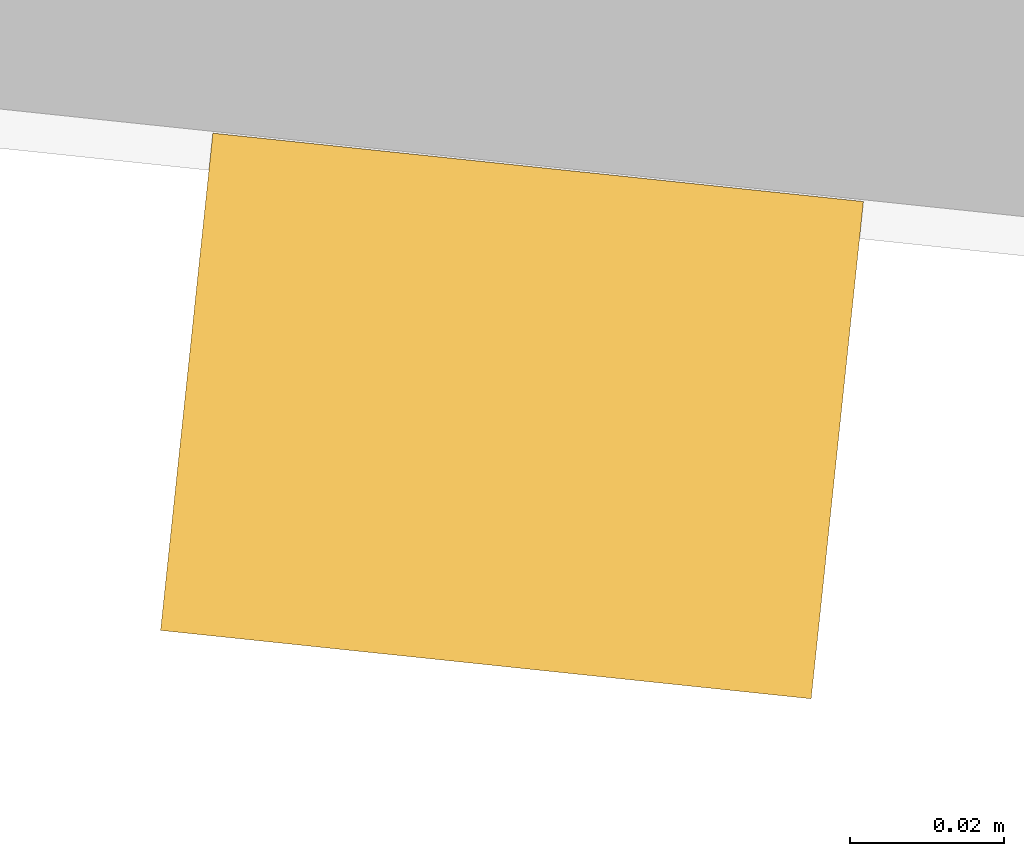
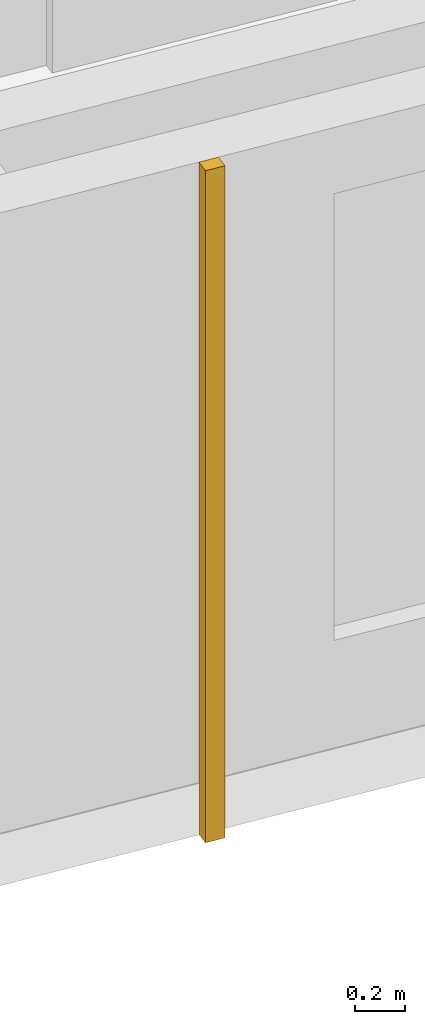
# One storey, part 61 of 74: 1 covering.
"""IFC4 building model written with IfcOpenShell, lengths in metres."""

import ifcopenshell
import ifcopenshell.guid

model = None  # the IFC model being written
_history = None  # IfcOwnerHistory: only IFC2X3 demands one
_inside = {}  # id of a spatial element -> (the spatial element, [elements in it])
_under = {}  # id of a project, library or spatial element -> (it, [spatial elements below it])
_declared = {}  # id of a project -> (the project, [libraries it declares])
_typed = {}  # id of a type object -> (the type object, [elements of that type])
_made_of = {}  # id of a material, layer set ... -> (it, [elements and type objects made of it])


def new_model(schema):
    """Start an empty IFC model of exactly this schema.

    Asked for "IFC4X3", IfcOpenShell would pick the latest addendum, in which some entities
    have other attributes; the version numbers below select the first issue.
    IFC2X3 requires an IfcOwnerHistory on every rooted entity: one is made here for all.
    """
    global model, _history
    if schema == "IFC4X3":
        model = ifcopenshell.file(schema_version=(4, 3, 0, 0))
    else:
        model = ifcopenshell.file(schema=schema)
    _inside.clear()
    _under.clear()
    _declared.clear()
    _typed.clear()
    _made_of.clear()
    _history = None
    if model.schema == "IFC2X3":
        org = make("IfcOrganization", Name="unknown")
        user = make(
            "IfcPersonAndOrganization",
            ThePerson=make("IfcPerson", FamilyName="unknown"),
            TheOrganization=org,
        )
        app = make(
            "IfcApplication",
            ApplicationDeveloper=org,
            Version="unknown",
            ApplicationFullName="unknown",
            ApplicationIdentifier="unknown",
        )
        _history = make(
            "IfcOwnerHistory",
            OwningUser=user,
            OwningApplication=app,
            ChangeAction="ADDED",
            CreationDate=0,
        )
    return model


def make(cls, **values):
    """One entity of the class cls with the attributes given. An attribute that is None is left unset."""
    return model.create_entity(
        cls, **{name: value for name, value in values.items() if value is not None}
    )


def rooted(cls, **values):
    """An entity with a GlobalId (a new one), such as an element, a storey or a relation."""
    return make(cls, GlobalId=ifcopenshell.guid.new(), OwnerHistory=_history, **values)


def si_unit(unit_type, name, prefix=None):
    """IfcSIUnit, for example si_unit("LENGTHUNIT", "METRE", prefix="MILLI")."""
    return make("IfcSIUnit", UnitType=unit_type, Prefix=prefix, Name=name)


def assignment(units):
    """IfcUnitAssignment: the units of a project."""
    return None if units is None else make("IfcUnitAssignment", Units=units)


def point(xyz):
    """IfcCartesianPoint."""
    return None if xyz is None else make("IfcCartesianPoint", Coordinates=xyz)


def direction(xyz):
    """IfcDirection."""
    return None if xyz is None else make("IfcDirection", DirectionRatios=xyz)


def frame(location, z_axis=None, x_axis=None):
    """IfcAxis2Placement3D, a coordinate frame: its origin and axes. An axis left out is left unset."""
    return make(
        "IfcAxis2Placement3D",
        Location=point(location),
        Axis=direction(z_axis),
        RefDirection=direction(x_axis),
    )


def frame_2d(location, x_axis=None):
    """IfcAxis2Placement2D, a coordinate frame in the plane: its origin and x axis."""
    return make(
        "IfcAxis2Placement2D", Location=point(location), RefDirection=direction(x_axis)
    )


def origin():
    """The frame at (0, 0, 0) with its axes left unset."""
    return frame((0.0, 0.0, 0.0))


def origin_2d():
    """The frame at (0, 0) in the plane with its x axis left unset."""
    return frame_2d((0.0, 0.0))


def place(relative_to, where):
    """IfcLocalPlacement: puts the frame where relative to a parent placement (None: the world)."""
    return make(
        "IfcLocalPlacement", PlacementRelTo=relative_to, RelativePlacement=where
    )


def context(
    kind, dimensions, precision=None, world=None, true_north=None, identifier=None
):
    """IfcGeometricRepresentationContext, for example the 3D "Model" context."""
    return make(
        "IfcGeometricRepresentationContext",
        ContextIdentifier=identifier,
        ContextType=kind,
        CoordinateSpaceDimension=dimensions,
        Precision=precision,
        WorldCoordinateSystem=world,
        TrueNorth=true_north,
    )


def subcontext(parent, identifier, kind, view, scale=None):
    """IfcGeometricRepresentationSubContext, for example "Body" below "Model"."""
    return make(
        "IfcGeometricRepresentationSubContext",
        ContextIdentifier=identifier,
        ContextType=kind,
        ParentContext=parent,
        TargetScale=scale,
        TargetView=view,
    )


def project(units=None, contexts=None):
    """IfcProject with its units and contexts."""
    return rooted(
        "IfcProject",
        Name="project",
        RepresentationContexts=contexts,
        UnitsInContext=assignment(units),
    )


def spatial(cls, under=None, at=None, **own):
    """A site, building, storey or space (cls), placed at a placement, below another one or the project."""
    s = rooted(cls, ObjectPlacement=at, **own)
    if under is not None:
        _under.setdefault(under.id(), (under, []))[1].append(s)
    return s


def profile(cls, at=None, kind="AREA", **sizes):
    """A parametric profile (cls). Its sizes go by their IFC names, for example OverallWidth=200.0."""
    return make(cls, ProfileType=kind, Position=at, **sizes)


def rectangle(**sizes):
    """IfcRectangleProfileDef."""
    return profile("IfcRectangleProfileDef", **sizes)


def extrude(swept, where, along, depth):
    """IfcExtrudedAreaSolid: the profile swept, set in the frame where, extruded along a direction by depth."""
    return make(
        "IfcExtrudedAreaSolid",
        SweptArea=swept,
        Position=where,
        ExtrudedDirection=direction(along),
        Depth=depth,
    )


def shape(context_of_items, identifier, shape_type, items):
    """IfcShapeRepresentation: the items that make up one representation, for example the "Body"."""
    return make(
        "IfcShapeRepresentation",
        ContextOfItems=context_of_items,
        RepresentationIdentifier=identifier,
        RepresentationType=shape_type,
        Items=items,
    )


def material(Name=None, Category=None):
    """IfcMaterial."""
    return make("IfcMaterial", Name=Name, Category=Category)


def layer(
    of_material, thickness, ventilated=None, Name=None, Category=None, Priority=None
):
    """IfcMaterialLayer: one layer of a wall or slab, of a material (None: an air gap)."""
    return make(
        "IfcMaterialLayer",
        Material=of_material,
        LayerThickness=thickness,
        IsVentilated=ventilated,
        Name=Name,
        Category=Category,
        Priority=Priority,
    )


def layer_set(layers, Name=None):
    """IfcMaterialLayerSet."""
    return make("IfcMaterialLayerSet", MaterialLayers=layers, LayerSetName=Name)


def made_of(thing, what):
    """Note that an element or type object is made of a material, layer set ...; save() writes the relation."""
    if what is not None:
        _made_of.setdefault(what.id(), (what, []))[1].append(thing)
    return thing


def type_object(cls, material=None, **own):
    """A type object (cls), such as IfcWallType, which elements share."""
    return made_of(rooted(cls, **own), material)


def element(
    cls,
    number,
    at=None,
    inside=None,
    cuts=None,
    type_object=None,
    material=None,
    context=None,
    identifier="Body",
    shape_type=None,
    held_by="IfcProductDefinitionShape",
    body=None,
    shapes=None,
    **own,
):
    """One element of the class cls, such as IfcWall. Its Tag is "e" and its number.

    at: its placement. inside: the storey or other place that contains it. cuts: it is an
    opening in that element (IfcRelVoidsElement). A single representation is given by context,
    identifier, shape_type and body (its items); several are given by shapes. held_by: the class
    of the entity that holds the representations. save() writes the other relations.
    """
    e = rooted(cls, Tag="e%d" % number, ObjectPlacement=at, **own)
    if body is not None:
        shapes = [shape(context, identifier, shape_type, body)]
    if shapes is not None:
        e.Representation = make(held_by, Representations=shapes)
    if inside is not None:
        _inside.setdefault(inside.id(), (inside, []))[1].append(e)
    if cuts is not None:
        rooted(
            "IfcRelVoidsElement", RelatingBuildingElement=cuts, RelatedOpeningElement=e
        )
    if type_object is not None:
        _typed.setdefault(type_object.id(), (type_object, []))[1].append(e)
    return made_of(e, material)


def aggregate(whole, parts):
    """IfcRelAggregates: a whole, such as a stair, and the parts it consists of."""
    return rooted("IfcRelAggregates", RelatingObject=whole, RelatedObjects=parts)


def save(model, path):
    """Write the relations noted so far, then the file.

    IfcRelAggregates (storeys below a building ...), IfcRelContainedInSpatialStructure (elements
    in a storey), IfcRelDefinesByType, IfcRelAssociatesMaterial and IfcRelDeclares: one each for
    every whole, place, type object, material and project.
    """
    for whole, parts in _under.values():
        aggregate(whole, parts)
    for where, things in _inside.values():
        rooted(
            "IfcRelContainedInSpatialStructure",
            RelatedElements=things,
            RelatingStructure=where,
        )
    for kind, things in _typed.values():
        rooted("IfcRelDefinesByType", RelatedObjects=things, RelatingType=kind)
    for what, things in _made_of.values():
        rooted("IfcRelAssociatesMaterial", RelatedObjects=things, RelatingMaterial=what)
    for by, libraries in _declared.values():
        rooted("IfcRelDeclares", RelatingContext=by, RelatedDefinitions=libraries)
    model.write(path)


model = new_model("IFC4")

# Units and contexts
model_context = context("Model", 3, precision=1e-05, world=origin(), true_north=direction((0.0, 1.0)))
body_context = subcontext(model_context, "Body", "Model", "MODEL_VIEW")
ifc_project = project(units=[si_unit("LENGTHUNIT", "METRE"), si_unit("AREAUNIT", "SQUARE_METRE"), si_unit("VOLUMEUNIT", "CUBIC_METRE"), si_unit("PLANEANGLEUNIT", "RADIAN"), si_unit("MASSUNIT", "GRAM", prefix="KILO")], contexts=[model_context])

# Site, building, storey
site_placement = place(None, origin())
site = spatial("IfcSite", under=ifc_project, at=site_placement, CompositionType="ELEMENT")
building_placement = place(site_placement, origin())
building = spatial("IfcBuilding", under=site, at=building_placement, Name="Kestramere Prow Commons", CompositionType="ELEMENT")
storey_placement = place(building_placement, frame((0.0, 0.0, 11.64990234375)))
storey = spatial("IfcBuildingStorey", under=building, at=storey_placement, Name="L03", CompositionType="ELEMENT", Elevation=11.64990234375)

# Covering
ifc_material = material(Name="Weathered Zinc-Titanium Standing-Seam Cladding")
ifc_layer = layer(ifc_material, 0.074951171875)
ifc_layer_set = layer_set([ifc_layer], Name="Weathered Zinc-Titanium Standing-Seam Cladding")
covering_type = type_object("IfcCoveringType", Name="COV-CLAD-SEAM", PredefinedType="CLADDING", material=ifc_layer_set)
covering_placement = place(storey_placement, frame((130.615234375, 91.951904296875, -0.25), z_axis=(0.0, 0.0, 1.0), x_axis=(-0.994521895368, 0.104528463268, 0.0)))
element("IfcCovering", 1, at=covering_placement, inside=storey, type_object=covering_type, Name="EW-B-L03-S-2 Standing-Seam Rib 2", PredefinedType="CLADDING", context=body_context, shape_type="SweptSolid", body=[
    extrude(rectangle(XDim=0.0849609375, YDim=0.06494140625, at=origin_2d()), origin(), (0.0, 0.0, 1.0), 3.25),
])

save(model, "model.ifc")
